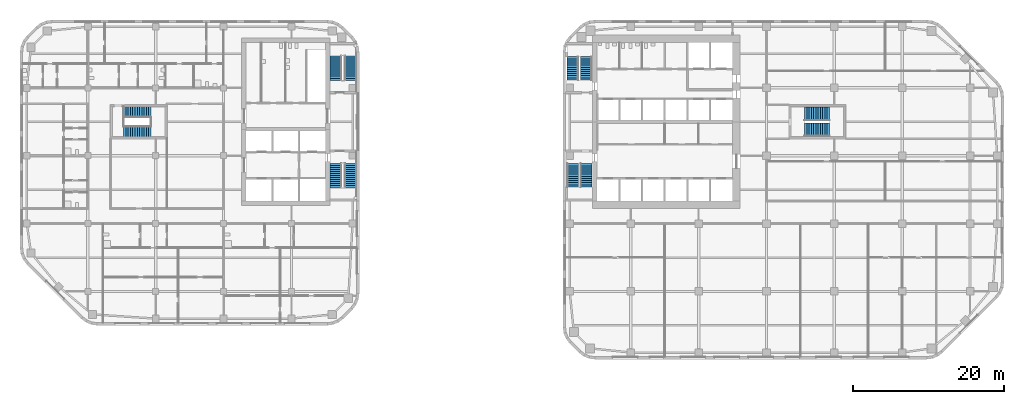
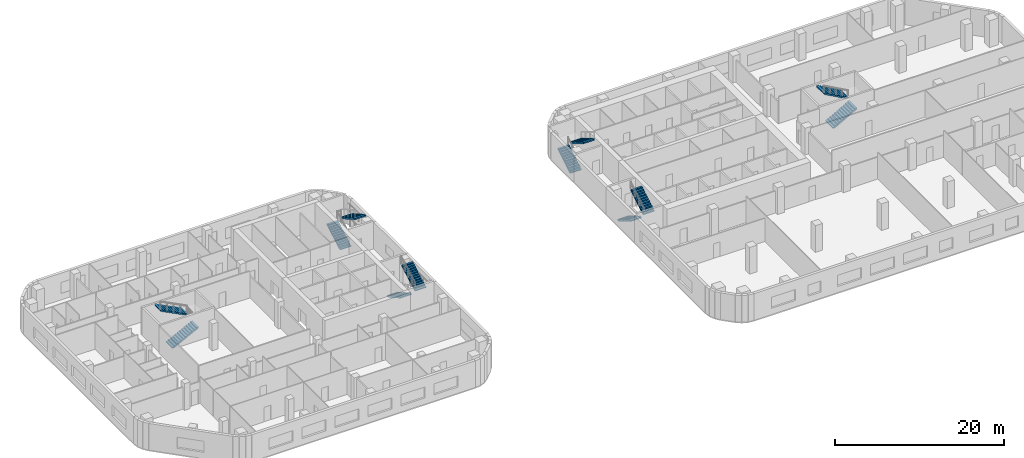
# One storey, part 13 of 16: 12 stair flights, 6 elements without a shape of their own.
"""IFC4 building model written with IfcOpenShell, lengths in metres."""

from ifc_helpers import new_model, si_unit, direction, frame, origin, place, context, subcontext, project, spatial, polyline, outline, extrude, material, type_object, element, aggregate, save


model = new_model("IFC4")

# Units and contexts
model_context = context("Model", 3, precision=1e-05, world=origin(), true_north=direction((0.0, 1.0)))
body_context = subcontext(model_context, "Body", "Model", "MODEL_VIEW")
ifc_project = project(units=[si_unit("LENGTHUNIT", "METRE"), si_unit("AREAUNIT", "SQUARE_METRE"), si_unit("VOLUMEUNIT", "CUBIC_METRE"), si_unit("PLANEANGLEUNIT", "RADIAN"), si_unit("MASSUNIT", "GRAM", prefix="KILO")], contexts=[model_context])

# Site, building, storey
site_placement = place(None, origin())
site = spatial("IfcSite", under=ifc_project, at=site_placement, CompositionType="ELEMENT")
building_placement = place(site_placement, origin())
building = spatial("IfcBuilding", under=site, at=building_placement, Name="Cinnabar Reach Civic Tower", CompositionType="ELEMENT")
storey_placement = place(building_placement, frame((0.0, 0.0, 34.0)))
storey = spatial("IfcBuildingStorey", under=building, at=storey_placement, Name="L07", CompositionType="ELEMENT", Elevation=34.0)

# Stair, stair flights
ifc_material_1 = material(Name="Concrete C40/50", Category="concrete")
stair_type_1 = type_object("IfcStairType", Name="T1 Exit stair, half-turn", PredefinedType="HALF_TURN_STAIR", material=ifc_material_1)
stair_1_placement = place(storey_placement, origin())
stair_1 = element("IfcStair", 1, at=stair_1_placement, inside=storey, type_object=stair_type_1, Name="Stair T1-S1", PredefinedType="HALF_TURN_STAIR")
stair_flight_type_1 = type_object("IfcStairFlightType", Name="T1 Stair flight, concrete", PredefinedType="STRAIGHT", material=ifc_material_1)
stair_flight_1_placement = place(storey_placement, frame((1.3125, 25.95, 0.0), z_axis=(0.0, 0.0, 1.0), x_axis=(0.0, -1.0, 0.0)))
stair_flight_1 = element("IfcStairFlight", 2, at=stair_flight_1_placement, type_object=stair_flight_type_1, Name="T1-S1 flight 1", NumberOfRisers=12, NumberOfTreads=11, PredefinedType="STRAIGHT", RiserHeight=0.166666667, TreadLength=0.28, context=body_context, shape_type="SweptSolid", body=[
    extrude(outline(polyline([(0.0, 0.0), (0.0, 0.1667), (0.28, 0.1667), (0.28, 0.3333), (0.56, 0.3333), (0.56, 0.5), (0.84, 0.5), (0.84, 0.6667), (1.12, 0.6667), (1.12, 0.8333), (1.4, 0.8333), (1.4, 1.0), (1.68, 1.0), (1.68, 1.1667), (1.96, 1.1667), (1.96, 1.3333), (2.24, 1.3333), (2.24, 1.5), (2.52, 1.5), (2.52, 1.6667), (2.8, 1.6667), (2.8, 1.8333), (3.08, 1.8333), (3.08, 2.0), (3.08, 1.6588), (0.2933, 0.0), (0.0, 0.0)])), frame((0.0, 0.7625, 0.0), z_axis=(0.0, -1.0, 0.0), x_axis=(1.0, 0.0, 0.0)), (0.0, 0.0, 1.0), 1.525),
])
stair_flight_2_placement = place(storey_placement, frame((3.0875, 22.87, 2.0), z_axis=(0.0, 0.0, 1.0), x_axis=(0.0, 1.0, 0.0)))
stair_flight_2 = element("IfcStairFlight", 3, at=stair_flight_2_placement, type_object=stair_flight_type_1, Name="T1-S1 flight 2", NumberOfRisers=12, NumberOfTreads=11, PredefinedType="STRAIGHT", RiserHeight=0.166666667, TreadLength=0.28, context=body_context, shape_type="SweptSolid", body=[
    extrude(outline(polyline([(0.0, 0.0), (0.0, 0.1667), (0.28, 0.1667), (0.28, 0.3333), (0.56, 0.3333), (0.56, 0.5), (0.84, 0.5), (0.84, 0.6667), (1.12, 0.6667), (1.12, 0.8333), (1.4, 0.8333), (1.4, 1.0), (1.68, 1.0), (1.68, 1.1667), (1.96, 1.1667), (1.96, 1.3333), (2.24, 1.3333), (2.24, 1.5), (2.52, 1.5), (2.52, 1.6667), (2.8, 1.6667), (2.8, 1.8333), (3.08, 1.8333), (3.08, 2.0), (3.08, 1.6588), (0.2933, 0.0), (0.0, 0.0)])), frame((0.0, 0.7625, 0.0), z_axis=(0.0, -1.0, 0.0), x_axis=(1.0, 0.0, 0.0)), (0.0, 0.0, 1.0), 1.525),
])
aggregate(stair_1, [stair_flight_1, stair_flight_2])

stair_2_placement = place(storey_placement, origin())
stair_2 = element("IfcStair", 4, at=stair_2_placement, inside=storey, type_object=stair_type_1, Name="Stair T1-S2", PredefinedType="HALF_TURN_STAIR")
stair_flight_3_placement = place(storey_placement, frame((1.3125, 37.05, 0.0), z_axis=(0.0, 0.0, 1.0), x_axis=(0.0, 1.0, 0.0)))
stair_flight_3 = element("IfcStairFlight", 5, at=stair_flight_3_placement, type_object=stair_flight_type_1, Name="T1-S2 flight 1", NumberOfRisers=12, NumberOfTreads=11, PredefinedType="STRAIGHT", RiserHeight=0.166666667, TreadLength=0.28, context=body_context, shape_type="SweptSolid", body=[
    extrude(outline(polyline([(0.0, 0.0), (0.0, 0.1667), (0.28, 0.1667), (0.28, 0.3333), (0.56, 0.3333), (0.56, 0.5), (0.84, 0.5), (0.84, 0.6667), (1.12, 0.6667), (1.12, 0.8333), (1.4, 0.8333), (1.4, 1.0), (1.68, 1.0), (1.68, 1.1667), (1.96, 1.1667), (1.96, 1.3333), (2.24, 1.3333), (2.24, 1.5), (2.52, 1.5), (2.52, 1.6667), (2.8, 1.6667), (2.8, 1.8333), (3.08, 1.8333), (3.08, 2.0), (3.08, 1.6588), (0.2933, 0.0), (0.0, 0.0)])), frame((0.0, 0.7625, 0.0), z_axis=(0.0, -1.0, 0.0), x_axis=(1.0, 0.0, 0.0)), (0.0, 0.0, 1.0), 1.525),
])
stair_flight_4_placement = place(storey_placement, frame((3.0875, 40.13, 2.0), z_axis=(0.0, 0.0, 1.0), x_axis=(0.0, -1.0, 0.0)))
stair_flight_4 = element("IfcStairFlight", 6, at=stair_flight_4_placement, type_object=stair_flight_type_1, Name="T1-S2 flight 2", NumberOfRisers=12, NumberOfTreads=11, PredefinedType="STRAIGHT", RiserHeight=0.166666667, TreadLength=0.28, context=body_context, shape_type="SweptSolid", body=[
    extrude(outline(polyline([(0.0, 0.0), (0.0, 0.1667), (0.28, 0.1667), (0.28, 0.3333), (0.56, 0.3333), (0.56, 0.5), (0.84, 0.5), (0.84, 0.6667), (1.12, 0.6667), (1.12, 0.8333), (1.4, 0.8333), (1.4, 1.0), (1.68, 1.0), (1.68, 1.1667), (1.96, 1.1667), (1.96, 1.3333), (2.24, 1.3333), (2.24, 1.5), (2.52, 1.5), (2.52, 1.6667), (2.8, 1.6667), (2.8, 1.8333), (3.08, 1.8333), (3.08, 2.0), (3.08, 1.6588), (0.2933, 0.0), (0.0, 0.0)])), frame((0.0, 0.7625, 0.0), z_axis=(0.0, -1.0, 0.0), x_axis=(1.0, 0.0, 0.0)), (0.0, 0.0, 1.0), 1.525),
])
aggregate(stair_2, [stair_flight_3, stair_flight_4])

stair_3_placement = place(storey_placement, origin())
stair_3 = element("IfcStair", 7, at=stair_3_placement, inside=storey, type_object=stair_type_1, Name="Stair T1-S3", PredefinedType="HALF_TURN_STAIR")
stair_flight_5_placement = place(storey_placement, frame((32.05, 30.45, 0.0), z_axis=(0.0, 0.0, 1.0), x_axis=(1.0, 0.0, 0.0)))
stair_flight_5 = element("IfcStairFlight", 8, at=stair_flight_5_placement, type_object=stair_flight_type_1, Name="T1-S3 flight 1", NumberOfRisers=12, NumberOfTreads=11, PredefinedType="STRAIGHT", RiserHeight=0.166666667, TreadLength=0.3, context=body_context, shape_type="SweptSolid", body=[
    extrude(outline(polyline([(0.0, 0.0), (0.0, 0.1667), (0.3, 0.1667), (0.3, 0.3333), (0.6, 0.3333), (0.6, 0.5), (0.9, 0.5), (0.9, 0.6667), (1.2, 0.6667), (1.2, 0.8333), (1.5, 0.8333), (1.5, 1.0), (1.8, 1.0), (1.8, 1.1667), (2.1, 1.1667), (2.1, 1.3333), (2.4, 1.3333), (2.4, 1.5), (2.7, 1.5), (2.7, 1.6667), (3.0, 1.6667), (3.0, 1.8333), (3.3, 1.8333), (3.3, 2.0), (3.3, 1.6617), (0.3089, 0.0), (0.0, 0.0)])), frame((0.0, 0.9, 0.0), z_axis=(0.0, -1.0, 0.0), x_axis=(1.0, 0.0, 0.0)), (0.0, 0.0, 1.0), 1.8),
])
stair_flight_6_placement = place(storey_placement, frame((35.35, 32.55, 2.0), z_axis=(0.0, 0.0, 1.0), x_axis=(-1.0, 0.0, 0.0)))
stair_flight_6 = element("IfcStairFlight", 9, at=stair_flight_6_placement, type_object=stair_flight_type_1, Name="T1-S3 flight 2", NumberOfRisers=12, NumberOfTreads=11, PredefinedType="STRAIGHT", RiserHeight=0.166666667, TreadLength=0.3, context=body_context, shape_type="SweptSolid", body=[
    extrude(outline(polyline([(0.0, 0.0), (0.0, 0.1667), (0.3, 0.1667), (0.3, 0.3333), (0.6, 0.3333), (0.6, 0.5), (0.9, 0.5), (0.9, 0.6667), (1.2, 0.6667), (1.2, 0.8333), (1.5, 0.8333), (1.5, 1.0), (1.8, 1.0), (1.8, 1.1667), (2.1, 1.1667), (2.1, 1.3333), (2.4, 1.3333), (2.4, 1.5), (2.7, 1.5), (2.7, 1.6667), (3.0, 1.6667), (3.0, 1.8333), (3.3, 1.8333), (3.3, 2.0), (3.3, 1.6617), (0.3089, 0.0), (0.0, 0.0)])), frame((0.0, 0.9, 0.0), z_axis=(0.0, -1.0, 0.0), x_axis=(1.0, 0.0, 0.0)), (0.0, 0.0, 1.0), 1.8),
])
aggregate(stair_3, [stair_flight_5, stair_flight_6])

ifc_material_2 = material(Name="Concrete C40", Category="concrete")
stair_type_2 = type_object("IfcStairType", Name="T2 Exit stair 1500", PredefinedType="HALF_TURN_STAIR", material=ifc_material_2)
stair_4_placement = place(storey_placement, origin())
stair_4 = element("IfcStair", 10, at=stair_4_placement, inside=storey, type_object=stair_type_2, Name="Exit stair 1", PredefinedType="HALF_TURN_STAIR")
stair_flight_type_2 = type_object("IfcStairFlightType", Name="T2 Stair flight 1500", PredefinedType="STRAIGHT", material=ifc_material_2)
stair_flight_7_placement = place(storey_placement, frame((-30.15, 26.0, 0.0), z_axis=(0.0, 0.0, 1.0), x_axis=(0.0, -1.0, 0.0)))
stair_flight_7 = element("IfcStairFlight", 11, at=stair_flight_7_placement, type_object=stair_flight_type_2, Name="ST1 flight 1", NumberOfRisers=13, NumberOfTreads=12, PredefinedType="STRAIGHT", RiserHeight=0.153846154, TreadLength=0.270833333, context=body_context, shape_type="SweptSolid", body=[
    extrude(outline(polyline([(0.0, 0.0), (0.0, 0.1538), (0.2708, 0.1538), (0.2708, 0.3077), (0.5417, 0.3077), (0.5417, 0.4615), (0.8125, 0.4615), (0.8125, 0.6154), (1.0833, 0.6154), (1.0833, 0.7692), (1.3542, 0.7692), (1.3542, 0.9231), (1.625, 0.9231), (1.625, 1.0769), (1.8958, 1.0769), (1.8958, 1.2308), (2.1667, 1.2308), (2.1667, 1.3846), (2.4375, 1.3846), (2.4375, 1.5385), (2.7083, 1.5385), (2.7083, 1.6923), (2.9792, 1.6923), (2.9792, 1.8462), (3.25, 1.8462), (3.25, 2.0), (3.25, 1.6736), (0.3037, 0.0), (0.0, 0.0)])), frame((0.0, 0.75, 0.0), z_axis=(0.0, -1.0, 0.0), x_axis=(1.0, 0.0, 0.0)), (0.0, 0.0, 1.0), 1.5),
])
stair_flight_8_placement = place(storey_placement, frame((-28.15, 22.75, 2.0), z_axis=(0.0, 0.0, 1.0), x_axis=(0.0, 1.0, 0.0)))
stair_flight_8 = element("IfcStairFlight", 12, at=stair_flight_8_placement, type_object=stair_flight_type_2, Name="ST1 flight 2", NumberOfRisers=13, NumberOfTreads=12, PredefinedType="STRAIGHT", RiserHeight=0.153846154, TreadLength=0.270833333, context=body_context, shape_type="SweptSolid", body=[
    extrude(outline(polyline([(0.0, 0.0), (0.0, 0.1538), (0.2708, 0.1538), (0.2708, 0.3077), (0.5417, 0.3077), (0.5417, 0.4615), (0.8125, 0.4615), (0.8125, 0.6154), (1.0833, 0.6154), (1.0833, 0.7692), (1.3542, 0.7692), (1.3542, 0.9231), (1.625, 0.9231), (1.625, 1.0769), (1.8958, 1.0769), (1.8958, 1.2308), (2.1667, 1.2308), (2.1667, 1.3846), (2.4375, 1.3846), (2.4375, 1.5385), (2.7083, 1.5385), (2.7083, 1.6923), (2.9792, 1.6923), (2.9792, 1.8462), (3.25, 1.8462), (3.25, 2.0), (3.25, 1.6736), (0.3037, 0.0), (0.0, 0.0)])), frame((0.0, 0.75, 0.0), z_axis=(0.0, -1.0, 0.0), x_axis=(1.0, 0.0, 0.0)), (0.0, 0.0, 1.0), 1.5),
])
aggregate(stair_4, [stair_flight_7, stair_flight_8])

stair_5_placement = place(storey_placement, origin())
stair_5 = element("IfcStair", 13, at=stair_5_placement, inside=storey, type_object=stair_type_2, Name="Exit stair 2", PredefinedType="HALF_TURN_STAIR")
stair_flight_9_placement = place(storey_placement, frame((-30.15, 37.0, 0.0), z_axis=(0.0, 0.0, 1.0), x_axis=(0.0, 1.0, 0.0)))
stair_flight_9 = element("IfcStairFlight", 14, at=stair_flight_9_placement, type_object=stair_flight_type_2, Name="ST2 flight 1", NumberOfRisers=13, NumberOfTreads=12, PredefinedType="STRAIGHT", RiserHeight=0.153846154, TreadLength=0.270833333, context=body_context, shape_type="SweptSolid", body=[
    extrude(outline(polyline([(0.0, 0.0), (0.0, 0.1538), (0.2708, 0.1538), (0.2708, 0.3077), (0.5417, 0.3077), (0.5417, 0.4615), (0.8125, 0.4615), (0.8125, 0.6154), (1.0833, 0.6154), (1.0833, 0.7692), (1.3542, 0.7692), (1.3542, 0.9231), (1.625, 0.9231), (1.625, 1.0769), (1.8958, 1.0769), (1.8958, 1.2308), (2.1667, 1.2308), (2.1667, 1.3846), (2.4375, 1.3846), (2.4375, 1.5385), (2.7083, 1.5385), (2.7083, 1.6923), (2.9792, 1.6923), (2.9792, 1.8462), (3.25, 1.8462), (3.25, 2.0), (3.25, 1.6736), (0.3037, 0.0), (0.0, 0.0)])), frame((0.0, 0.75, 0.0), z_axis=(0.0, -1.0, 0.0), x_axis=(1.0, 0.0, 0.0)), (0.0, 0.0, 1.0), 1.5),
])
stair_flight_10_placement = place(storey_placement, frame((-28.15, 40.25, 2.0), z_axis=(0.0, 0.0, 1.0), x_axis=(0.0, -1.0, 0.0)))
stair_flight_10 = element("IfcStairFlight", 15, at=stair_flight_10_placement, type_object=stair_flight_type_2, Name="ST2 flight 2", NumberOfRisers=13, NumberOfTreads=12, PredefinedType="STRAIGHT", RiserHeight=0.153846154, TreadLength=0.270833333, context=body_context, shape_type="SweptSolid", body=[
    extrude(outline(polyline([(0.0, 0.0), (0.0, 0.1538), (0.2708, 0.1538), (0.2708, 0.3077), (0.5417, 0.3077), (0.5417, 0.4615), (0.8125, 0.4615), (0.8125, 0.6154), (1.0833, 0.6154), (1.0833, 0.7692), (1.3542, 0.7692), (1.3542, 0.9231), (1.625, 0.9231), (1.625, 1.0769), (1.8958, 1.0769), (1.8958, 1.2308), (2.1667, 1.2308), (2.1667, 1.3846), (2.4375, 1.3846), (2.4375, 1.5385), (2.7083, 1.5385), (2.7083, 1.6923), (2.9792, 1.6923), (2.9792, 1.8462), (3.25, 1.8462), (3.25, 2.0), (3.25, 1.6736), (0.3037, 0.0), (0.0, 0.0)])), frame((0.0, 0.75, 0.0), z_axis=(0.0, -1.0, 0.0), x_axis=(1.0, 0.0, 0.0)), (0.0, 0.0, 1.0), 1.5),
])
aggregate(stair_5, [stair_flight_9, stair_flight_10])

stair_6_placement = place(storey_placement, origin())
stair_6 = element("IfcStair", 16, at=stair_6_placement, inside=storey, type_object=stair_type_2, Name="Exit stair 3", PredefinedType="HALF_TURN_STAIR")
stair_flight_11_placement = place(storey_placement, frame((-58.25, 30.125, 0.0), z_axis=(0.0, 0.0, 1.0), x_axis=(1.0, 0.0, 0.0)))
stair_flight_11 = element("IfcStairFlight", 17, at=stair_flight_11_placement, type_object=stair_flight_type_2, Name="ST3 flight 1", NumberOfRisers=13, NumberOfTreads=12, PredefinedType="STRAIGHT", RiserHeight=0.153846154, TreadLength=0.3, context=body_context, shape_type="SweptSolid", body=[
    extrude(outline(polyline([(0.0, 0.0), (0.0, 0.1538), (0.3, 0.1538), (0.3, 0.3077), (0.6, 0.3077), (0.6, 0.4615), (0.9, 0.4615), (0.9, 0.6154), (1.2, 0.6154), (1.2, 0.7692), (1.5, 0.7692), (1.5, 0.9231), (1.8, 0.9231), (1.8, 1.0769), (2.1, 1.0769), (2.1, 1.2308), (2.4, 1.2308), (2.4, 1.3846), (2.7, 1.3846), (2.7, 1.5385), (3.0, 1.5385), (3.0, 1.6923), (3.3, 1.6923), (3.3, 1.8462), (3.6, 1.8462), (3.6, 2.0), (3.6, 1.6776), (0.3287, 0.0), (0.0, 0.0)])), frame((0.0, 0.75, 0.0), z_axis=(0.0, -1.0, 0.0), x_axis=(1.0, 0.0, 0.0)), (0.0, 0.0, 1.0), 1.5),
])
stair_flight_12_placement = place(storey_placement, frame((-54.65, 32.875, 2.0), z_axis=(0.0, 0.0, 1.0), x_axis=(-1.0, 0.0, 0.0)))
stair_flight_12 = element("IfcStairFlight", 18, at=stair_flight_12_placement, type_object=stair_flight_type_2, Name="ST3 flight 2", NumberOfRisers=13, NumberOfTreads=12, PredefinedType="STRAIGHT", RiserHeight=0.153846154, TreadLength=0.3, context=body_context, shape_type="SweptSolid", body=[
    extrude(outline(polyline([(0.0, 0.0), (0.0, 0.1538), (0.3, 0.1538), (0.3, 0.3077), (0.6, 0.3077), (0.6, 0.4615), (0.9, 0.4615), (0.9, 0.6154), (1.2, 0.6154), (1.2, 0.7692), (1.5, 0.7692), (1.5, 0.9231), (1.8, 0.9231), (1.8, 1.0769), (2.1, 1.0769), (2.1, 1.2308), (2.4, 1.2308), (2.4, 1.3846), (2.7, 1.3846), (2.7, 1.5385), (3.0, 1.5385), (3.0, 1.6923), (3.3, 1.6923), (3.3, 1.8462), (3.6, 1.8462), (3.6, 2.0), (3.6, 1.6776), (0.3287, 0.0), (0.0, 0.0)])), frame((0.0, 0.75, 0.0), z_axis=(0.0, -1.0, 0.0), x_axis=(1.0, 0.0, 0.0)), (0.0, 0.0, 1.0), 1.5),
])
aggregate(stair_6, [stair_flight_11, stair_flight_12])

save(model, "model.ifc")
